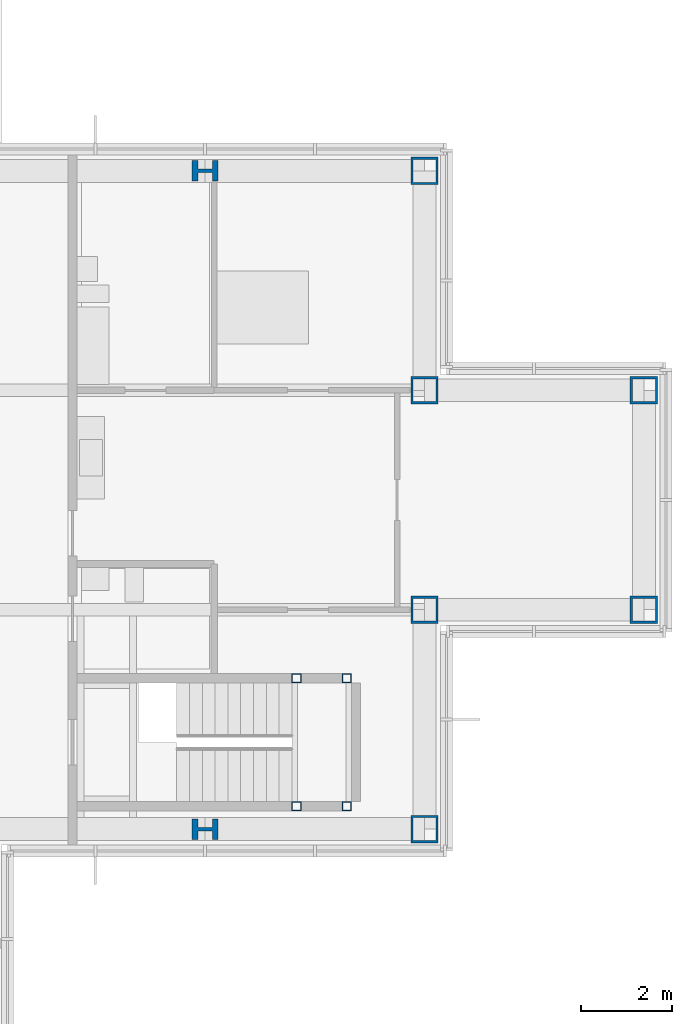
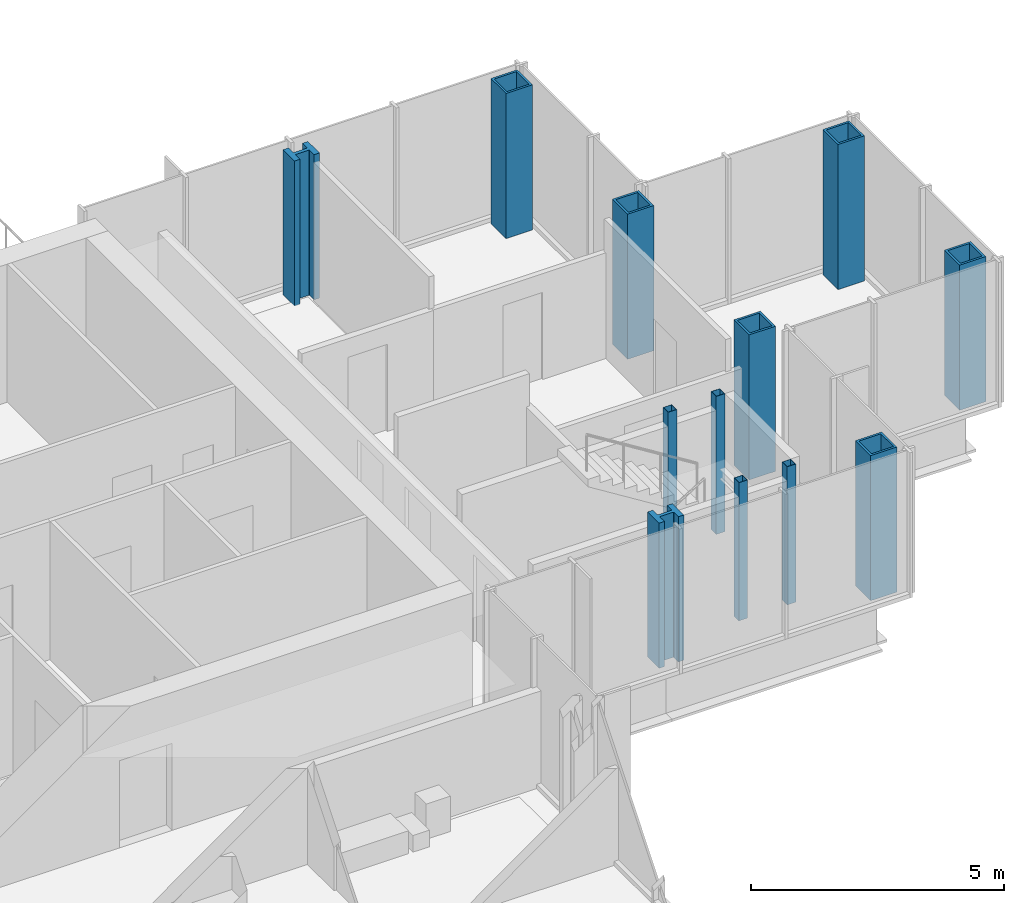
# One storey, part 4 of 14: 12 columns.
"""IFC4 building model written with IfcOpenShell, lengths in metres."""

from ifc_helpers import new_model, si_unit, direction, frame, origin, origin_2d, place, context, subcontext, project, spatial, hollow_rectangle, i_section, extrude, material, material_profile, profile_set, type_object, element, save


model = new_model("IFC4")

# Units and contexts
model_context = context("Model", 3, precision=1e-05, world=origin(), true_north=direction((0.0, 1.0)))
body_context = subcontext(model_context, "Body", "Model", "MODEL_VIEW")
ifc_project = project(units=[si_unit("LENGTHUNIT", "METRE"), si_unit("AREAUNIT", "SQUARE_METRE"), si_unit("VOLUMEUNIT", "CUBIC_METRE"), si_unit("PLANEANGLEUNIT", "RADIAN"), si_unit("MASSUNIT", "GRAM", prefix="KILO")], contexts=[model_context])

# Site, building, storey
site_placement = place(None, origin())
site = spatial("IfcSite", under=ifc_project, at=site_placement, CompositionType="ELEMENT")
building_placement = place(site_placement, origin())
building = spatial("IfcBuilding", under=site, at=building_placement, Name="Kvirike Care Tower", CompositionType="ELEMENT")
storey_placement = place(building_placement, frame((0.0, 0.0, 194.5)))
storey = spatial("IfcBuildingStorey", under=building, at=storey_placement, Name="L53", CompositionType="ELEMENT", Elevation=194.5)

# Columns
ifc_material_1 = material(Name="Steel S460", Category="steel")
ifc_material_profile_1 = material_profile(ifc_material_1, hollow_rectangle(XDim=0.60009765625, YDim=0.60009765625, WallThickness=0.050048828125, at=origin_2d()), Name="BX 600x600x50")
ifc_profile_set_1 = profile_set([ifc_material_profile_1], Name="Steel S460")
column_type_1 = type_object("IfcColumnType", Name="COLUMN BX 600x600x50", PredefinedType="COLUMN", material=ifc_profile_set_1)
for number, where, z_axis, x_axis, name in (
    (1, (38.39990234375, 28.800048828125, 0.0), (0.0, 0.0, 1.0), (0.0, 1.0, 0.0), "Column G11 L53"),
    (2, (38.39990234375, 33.60009765625, 0.0), (0.0, 0.0, 1.0), (0.0, 1.0, 0.0), "Column H11 L53"),
    (3, (38.39990234375, 38.39990234375, 0.0), (0.0, 0.0, 1.0), (0.0, 1.0, 0.0), "Column J11 L53"),
    (4, (38.39990234375, 43.199951171875, 0.0), (0.0, 0.0, 1.0), (0.0, 1.0, 0.0), "Column K11 L53"),
    (5, (43.199951171875, 33.60009765625, 0.0), (0.0, 0.0, 1.0), (0.0, 1.0, 0.0), "Column H12 L53"),
    (6, (43.199951171875, 38.39990234375, 0.0), (0.0, 0.0, 1.0), (0.0, 1.0, 0.0), "Column J12 L53"),
):
    element("IfcColumn", number, at=place(storey_placement, frame(where, z_axis=z_axis, x_axis=x_axis)), inside=storey, type_object=column_type_1, Name=name, PredefinedType="COLUMN", context=body_context, shape_type="SweptSolid", body=[
        extrude(hollow_rectangle(XDim=0.60009765625, YDim=0.60009765625, WallThickness=0.050048828125, at=origin_2d()), origin(), (0.0, 0.0, 1.0), 3.5),
    ])
ifc_material_2 = material(Name="Steel S460", Category="steel")
ifc_material_profile_2 = material_profile(ifc_material_2, i_section(OverallWidth=0.4541015625, OverallDepth=0.569091796875, WebThickness=0.077880859375, FlangeThickness=0.125, FilletRadius=0.014892578125, at=origin_2d()), Name="HD 400x1086")
ifc_profile_set_2 = profile_set([ifc_material_profile_2], Name="Steel S460")
column_type_2 = type_object("IfcColumnType", Name="COLUMN HD 400x1086", PredefinedType="COLUMN", material=ifc_profile_set_2)
for number, where, z_axis, x_axis, name in (
    (7, (33.60009765625, 28.800048828125, 0.0), (0.0, 0.0, 1.0), (0.0, 1.0, 0.0), "Column G10 L53"),
    (8, (33.60009765625, 43.199951171875, 0.0), (0.0, 0.0, 1.0), (0.0, 1.0, 0.0), "Column K10 L53"),
):
    element("IfcColumn", number, at=place(storey_placement, frame(where, z_axis=z_axis, x_axis=x_axis)), inside=storey, type_object=column_type_2, Name=name, PredefinedType="COLUMN", context=body_context, shape_type="SweptSolid", body=[
        extrude(i_section(OverallWidth=0.4541015625, OverallDepth=0.569091796875, WebThickness=0.077880859375, FlangeThickness=0.125, FilletRadius=0.014892578125, at=origin_2d()), origin(), (0.0, 0.0, 1.0), 3.5),
    ])
ifc_material_3 = material(Name="Steel S460", Category="steel")
ifc_material_profile_3 = material_profile(ifc_material_3, hollow_rectangle(XDim=0.199951171875, YDim=0.199951171875, WallThickness=0.008056640625, at=origin_2d()), Name="SHS 200x200x8")
ifc_profile_set_3 = profile_set([ifc_material_profile_3], Name="Steel S460")
column_type_3 = type_object("IfcColumnType", Name="STAIR POST SHS 200x200x8", PredefinedType="COLUMN", material=ifc_profile_set_3)
for number, where, z_axis, x_axis, name in (
    (9, (36.699951171875, 29.300048828125, 0.0), (0.0, 0.0, 1.0), (1.0, 0.0, 0.0), "Stair 2 post 1 L53"),
    (10, (36.699951171875, 32.10009765625, 0.0), (0.0, 0.0, 1.0), (1.0, 0.0, 0.0), "Stair 2 post 2 L53"),
    (11, (35.60009765625, 29.300048828125, 0.0), (0.0, 0.0, 1.0), (1.0, 0.0, 0.0), "Stair 2 post 3 L53"),
    (12, (35.60009765625, 32.10009765625, 0.0), (0.0, 0.0, 1.0), (1.0, 0.0, 0.0), "Stair 2 post 4 L53"),
):
    element("IfcColumn", number, at=place(storey_placement, frame(where, z_axis=z_axis, x_axis=x_axis)), inside=storey, type_object=column_type_3, Name=name, PredefinedType="COLUMN", context=body_context, shape_type="SweptSolid", body=[
        extrude(hollow_rectangle(XDim=0.199951171875, YDim=0.199951171875, WallThickness=0.008056640625, at=origin_2d()), origin(), (0.0, 0.0, 1.0), 3.330078125),
    ])

save(model, "model.ifc")
